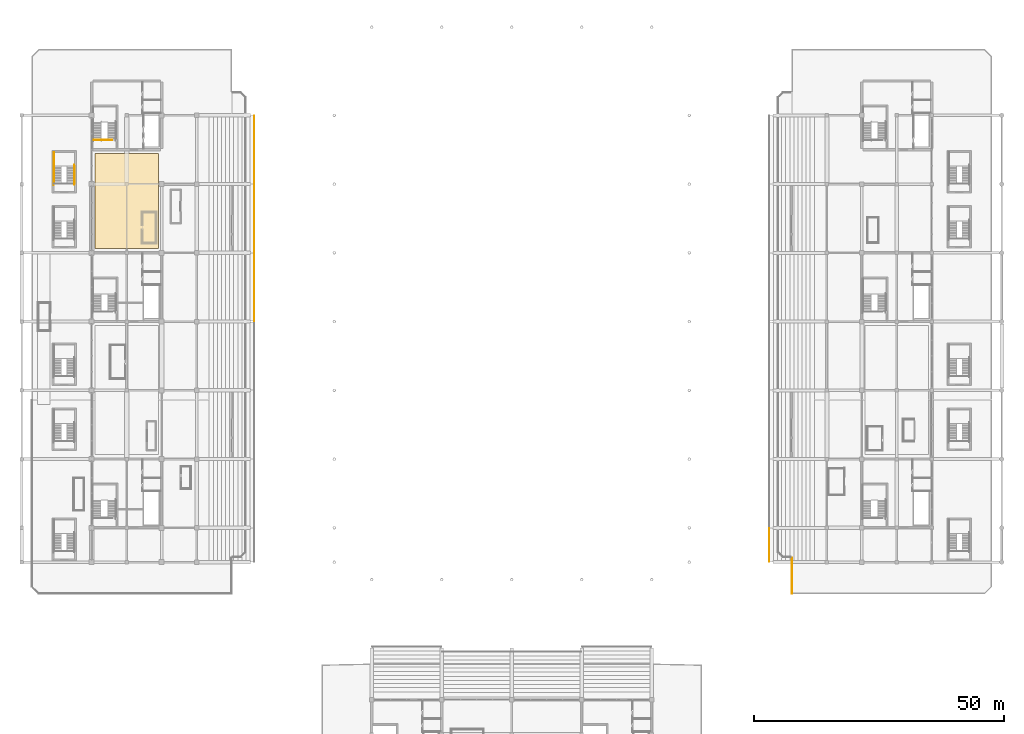
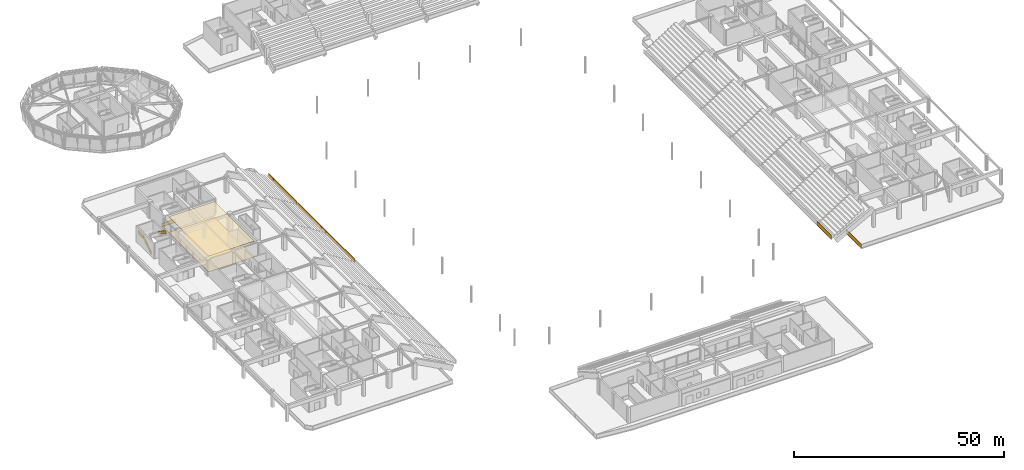
# One storey, part 85 of 94: 8 railings, 2 coverings.
"""IFC4 building model written with IfcOpenShell, lengths in metres."""

import ifcopenshell
import ifcopenshell.guid

model = None  # the IFC model being written
_history = None  # IfcOwnerHistory: only IFC2X3 demands one
_inside = {}  # id of a spatial element -> (the spatial element, [elements in it])
_under = {}  # id of a project, library or spatial element -> (it, [spatial elements below it])
_declared = {}  # id of a project -> (the project, [libraries it declares])
_typed = {}  # id of a type object -> (the type object, [elements of that type])
_made_of = {}  # id of a material, layer set ... -> (it, [elements and type objects made of it])


def new_model(schema):
    """Start an empty IFC model of exactly this schema.

    Asked for "IFC4X3", IfcOpenShell would pick the latest addendum, in which some entities
    have other attributes; the version numbers below select the first issue.
    IFC2X3 requires an IfcOwnerHistory on every rooted entity: one is made here for all.
    """
    global model, _history
    if schema == "IFC4X3":
        model = ifcopenshell.file(schema_version=(4, 3, 0, 0))
    else:
        model = ifcopenshell.file(schema=schema)
    _inside.clear()
    _under.clear()
    _declared.clear()
    _typed.clear()
    _made_of.clear()
    _history = None
    if model.schema == "IFC2X3":
        org = make("IfcOrganization", Name="unknown")
        user = make(
            "IfcPersonAndOrganization",
            ThePerson=make("IfcPerson", FamilyName="unknown"),
            TheOrganization=org,
        )
        app = make(
            "IfcApplication",
            ApplicationDeveloper=org,
            Version="unknown",
            ApplicationFullName="unknown",
            ApplicationIdentifier="unknown",
        )
        _history = make(
            "IfcOwnerHistory",
            OwningUser=user,
            OwningApplication=app,
            ChangeAction="ADDED",
            CreationDate=0,
        )
    return model


def make(cls, **values):
    """One entity of the class cls with the attributes given. An attribute that is None is left unset."""
    return model.create_entity(
        cls, **{name: value for name, value in values.items() if value is not None}
    )


def rooted(cls, **values):
    """An entity with a GlobalId (a new one), such as an element, a storey or a relation."""
    return make(cls, GlobalId=ifcopenshell.guid.new(), OwnerHistory=_history, **values)


def si_unit(unit_type, name, prefix=None):
    """IfcSIUnit, for example si_unit("LENGTHUNIT", "METRE", prefix="MILLI")."""
    return make("IfcSIUnit", UnitType=unit_type, Prefix=prefix, Name=name)


def assignment(units):
    """IfcUnitAssignment: the units of a project."""
    return None if units is None else make("IfcUnitAssignment", Units=units)


def point(xyz):
    """IfcCartesianPoint."""
    return None if xyz is None else make("IfcCartesianPoint", Coordinates=xyz)


def direction(xyz):
    """IfcDirection."""
    return None if xyz is None else make("IfcDirection", DirectionRatios=xyz)


def frame(location, z_axis=None, x_axis=None):
    """IfcAxis2Placement3D, a coordinate frame: its origin and axes. An axis left out is left unset."""
    return make(
        "IfcAxis2Placement3D",
        Location=point(location),
        Axis=direction(z_axis),
        RefDirection=direction(x_axis),
    )


def frame_2d(location, x_axis=None):
    """IfcAxis2Placement2D, a coordinate frame in the plane: its origin and x axis."""
    return make(
        "IfcAxis2Placement2D", Location=point(location), RefDirection=direction(x_axis)
    )


def origin():
    """The frame at (0, 0, 0) with its axes left unset."""
    return frame((0.0, 0.0, 0.0))


def origin_2d():
    """The frame at (0, 0) in the plane with its x axis left unset."""
    return frame_2d((0.0, 0.0))


def place(relative_to, where):
    """IfcLocalPlacement: puts the frame where relative to a parent placement (None: the world)."""
    return make(
        "IfcLocalPlacement", PlacementRelTo=relative_to, RelativePlacement=where
    )


def context(
    kind, dimensions, precision=None, world=None, true_north=None, identifier=None
):
    """IfcGeometricRepresentationContext, for example the 3D "Model" context."""
    return make(
        "IfcGeometricRepresentationContext",
        ContextIdentifier=identifier,
        ContextType=kind,
        CoordinateSpaceDimension=dimensions,
        Precision=precision,
        WorldCoordinateSystem=world,
        TrueNorth=true_north,
    )


def subcontext(parent, identifier, kind, view, scale=None):
    """IfcGeometricRepresentationSubContext, for example "Body" below "Model"."""
    return make(
        "IfcGeometricRepresentationSubContext",
        ContextIdentifier=identifier,
        ContextType=kind,
        ParentContext=parent,
        TargetScale=scale,
        TargetView=view,
    )


def project(units=None, contexts=None):
    """IfcProject with its units and contexts."""
    return rooted(
        "IfcProject",
        Name="project",
        RepresentationContexts=contexts,
        UnitsInContext=assignment(units),
    )


def spatial(cls, under=None, at=None, **own):
    """A site, building, storey or space (cls), placed at a placement, below another one or the project."""
    s = rooted(cls, ObjectPlacement=at, **own)
    if under is not None:
        _under.setdefault(under.id(), (under, []))[1].append(s)
    return s


def polyline(points):
    """IfcPolyline through the points."""
    return make("IfcPolyline", Points=[point(p) for p in points])


def profile(cls, at=None, kind="AREA", **sizes):
    """A parametric profile (cls). Its sizes go by their IFC names, for example OverallWidth=200.0."""
    return make(cls, ProfileType=kind, Position=at, **sizes)


def rectangle(**sizes):
    """IfcRectangleProfileDef."""
    return profile("IfcRectangleProfileDef", **sizes)


def outline(outer, holes=None, kind="AREA"):
    """IfcArbitraryClosedProfileDef: a profile drawn as a closed curve; with holes, ...WithVoids."""
    if holes is None:
        return make("IfcArbitraryClosedProfileDef", ProfileType=kind, OuterCurve=outer)
    return make(
        "IfcArbitraryProfileDefWithVoids",
        ProfileType=kind,
        OuterCurve=outer,
        InnerCurves=holes,
    )


def extrude(swept, where, along, depth):
    """IfcExtrudedAreaSolid: the profile swept, set in the frame where, extruded along a direction by depth."""
    return make(
        "IfcExtrudedAreaSolid",
        SweptArea=swept,
        Position=where,
        ExtrudedDirection=direction(along),
        Depth=depth,
    )


def shape(context_of_items, identifier, shape_type, items):
    """IfcShapeRepresentation: the items that make up one representation, for example the "Body"."""
    return make(
        "IfcShapeRepresentation",
        ContextOfItems=context_of_items,
        RepresentationIdentifier=identifier,
        RepresentationType=shape_type,
        Items=items,
    )


def material(Name=None, Category=None):
    """IfcMaterial."""
    return make("IfcMaterial", Name=Name, Category=Category)


def layer(
    of_material, thickness, ventilated=None, Name=None, Category=None, Priority=None
):
    """IfcMaterialLayer: one layer of a wall or slab, of a material (None: an air gap)."""
    return make(
        "IfcMaterialLayer",
        Material=of_material,
        LayerThickness=thickness,
        IsVentilated=ventilated,
        Name=Name,
        Category=Category,
        Priority=Priority,
    )


def layer_set(layers, Name=None):
    """IfcMaterialLayerSet."""
    return make("IfcMaterialLayerSet", MaterialLayers=layers, LayerSetName=Name)


def made_of(thing, what):
    """Note that an element or type object is made of a material, layer set ...; save() writes the relation."""
    if what is not None:
        _made_of.setdefault(what.id(), (what, []))[1].append(thing)
    return thing


def type_object(cls, material=None, **own):
    """A type object (cls), such as IfcWallType, which elements share."""
    return made_of(rooted(cls, **own), material)


def element(
    cls,
    number,
    at=None,
    inside=None,
    cuts=None,
    type_object=None,
    material=None,
    context=None,
    identifier="Body",
    shape_type=None,
    held_by="IfcProductDefinitionShape",
    body=None,
    shapes=None,
    **own,
):
    """One element of the class cls, such as IfcWall. Its Tag is "e" and its number.

    at: its placement. inside: the storey or other place that contains it. cuts: it is an
    opening in that element (IfcRelVoidsElement). A single representation is given by context,
    identifier, shape_type and body (its items); several are given by shapes. held_by: the class
    of the entity that holds the representations. save() writes the other relations.
    """
    e = rooted(cls, Tag="e%d" % number, ObjectPlacement=at, **own)
    if body is not None:
        shapes = [shape(context, identifier, shape_type, body)]
    if shapes is not None:
        e.Representation = make(held_by, Representations=shapes)
    if inside is not None:
        _inside.setdefault(inside.id(), (inside, []))[1].append(e)
    if cuts is not None:
        rooted(
            "IfcRelVoidsElement", RelatingBuildingElement=cuts, RelatedOpeningElement=e
        )
    if type_object is not None:
        _typed.setdefault(type_object.id(), (type_object, []))[1].append(e)
    return made_of(e, material)


def aggregate(whole, parts):
    """IfcRelAggregates: a whole, such as a stair, and the parts it consists of."""
    return rooted("IfcRelAggregates", RelatingObject=whole, RelatedObjects=parts)


def save(model, path):
    """Write the relations noted so far, then the file.

    IfcRelAggregates (storeys below a building ...), IfcRelContainedInSpatialStructure (elements
    in a storey), IfcRelDefinesByType, IfcRelAssociatesMaterial and IfcRelDeclares: one each for
    every whole, place, type object, material and project.
    """
    for whole, parts in _under.values():
        aggregate(whole, parts)
    for where, things in _inside.values():
        rooted(
            "IfcRelContainedInSpatialStructure",
            RelatedElements=things,
            RelatingStructure=where,
        )
    for kind, things in _typed.values():
        rooted("IfcRelDefinesByType", RelatedObjects=things, RelatingType=kind)
    for what, things in _made_of.values():
        rooted("IfcRelAssociatesMaterial", RelatedObjects=things, RelatingMaterial=what)
    for by, libraries in _declared.values():
        rooted("IfcRelDeclares", RelatingContext=by, RelatedDefinitions=libraries)
    model.write(path)


model = new_model("IFC4")

# Units and contexts
model_context = context("Model", 3, precision=1e-05, world=origin(), true_north=direction((0.0, 1.0)))
body_context = subcontext(model_context, "Body", "Model", "MODEL_VIEW")
ifc_project = project(units=[si_unit("LENGTHUNIT", "METRE"), si_unit("AREAUNIT", "SQUARE_METRE"), si_unit("VOLUMEUNIT", "CUBIC_METRE"), si_unit("PLANEANGLEUNIT", "RADIAN"), si_unit("MASSUNIT", "GRAM", prefix="KILO")], contexts=[model_context])

# Site, building, storey
site_placement = place(None, origin())
site = spatial("IfcSite", under=ifc_project, at=site_placement, CompositionType="ELEMENT")
building_placement = place(site_placement, origin())
building = spatial("IfcBuilding", under=site, at=building_placement, Name="Linyun Crest Stadium", CompositionType="ELEMENT")
storey_placement = place(building_placement, frame((0.0, 0.0, 16.199951171875)))
storey = spatial("IfcBuildingStorey", under=building, at=storey_placement, Name="L04", CompositionType="ELEMENT", Elevation=16.199951171875)

# Coverings
ifc_material_1 = material(Name="Anodized aluminium baffle acoustic ceiling", Category="aluminium")
ifc_layer_1 = layer(ifc_material_1, 0.030029296875)
ifc_layer_set_1 = layer_set([ifc_layer_1], Name="Anodized aluminium baffle acoustic ceiling")
covering_type_1 = type_object("IfcCoveringType", Name="CLG02", PredefinedType="CEILING", material=ifc_layer_set_1)
covering_1_placement = place(storey_placement, frame((0.0, 0.0, 4.570068359375)))
element("IfcCovering", 1, at=covering_1_placement, inside=storey, type_object=covering_type_1, Name="Suspended acoustic ceiling CLG02 42", PredefinedType="CEILING", context=body_context, shape_type="SweptSolid", body=[
    extrude(outline(polyline([(-83.300048828125, 16.699951171875), (-70.699951171875, 16.699951171875), (-70.699951171875, 35.699951171875), (-83.300048828125, 35.699951171875), (-83.300048828125, 16.699951171875)])), origin(), (0.0, 0.0, 1.0), 0.030029296875),
])
ifc_material_2 = material(Name="Terrazzo concourse and hospitality floor finish")
ifc_layer_2 = layer(ifc_material_2, 0.02197265625)
ifc_layer_set_2 = layer_set([ifc_layer_2], Name="Terrazzo concourse and hospitality floor finish")
covering_type_2 = type_object("IfcCoveringType", Name="FLR02", PredefinedType="FLOORING", material=ifc_layer_set_2)
covering_2_placement = place(storey_placement, origin())
element("IfcCovering", 2, at=covering_2_placement, inside=storey, type_object=covering_type_2, Name="Terrazzo flooring FLR02 41", PredefinedType="FLOORING", context=body_context, shape_type="SweptSolid", body=[
    extrude(outline(polyline([(-83.300048828125, 16.699951171875), (-70.699951171875, 16.699951171875), (-70.699951171875, 35.699951171875), (-83.300048828125, 35.699951171875), (-83.300048828125, 16.699951171875)])), origin(), (0.0, 0.0, 1.0), 0.02197265625),
])

# Railings
ifc_material_3 = material(Name="Galvanized and powder-coated steel bowl safety barrier", Category="steel")
railing_type_1 = type_object("IfcRailingType", Name="GR02", PredefinedType="GUARDRAIL", material=ifc_material_3)
railing_1_placement = place(storey_placement, frame((51.5, -45.919921875, 0.35009765625)))
element("IfcRailing", 3, at=railing_1_placement, inside=storey, type_object=railing_type_1, Name="Bowl front safety guard GR02 7", PredefinedType="GUARDRAIL", context=body_context, shape_type="SweptSolid", body=[
    extrude(rectangle(XDim=0.06005859375, YDim=0.06005859375, at=origin_2d()), frame((0.0, 0.0, 1.090087890625), z_axis=(0.0, 1.0, 0.0), x_axis=(-1.0, 0.0, 0.0)), (0.0, 0.0, 1.0), 6.71484375),
    extrude(rectangle(XDim=0.030029296875, YDim=1.0, at=origin_2d()), frame((0.0, 0.0, 0.56005859375), z_axis=(0.0, 1.0, 0.0), x_axis=(-1.0, 0.0, 0.0)), (0.0, 0.0, 1.0), 6.71484375),
    extrude(rectangle(XDim=0.06005859375, YDim=0.06005859375, at=origin_2d()), frame((0.0, 0.0, 0.030029296875), z_axis=(0.0, 1.0, 0.0), x_axis=(-1.0, 0.0, 0.0)), (0.0, 0.0, 1.0), 6.71484375),
    extrude(rectangle(XDim=0.050048828125, YDim=0.050048828125, at=origin_2d()), origin(), (0.0, 0.0, 1.0), 1.1201171875),
    extrude(rectangle(XDim=0.050048828125, YDim=0.050048828125, at=origin_2d()), frame((0.0, 2.23828125, 0.0)), (0.0, 0.0, 1.0), 1.1201171875),
    extrude(rectangle(XDim=0.050048828125, YDim=0.050048828125, at=origin_2d()), frame((0.0, 4.4765625, 0.0)), (0.0, 0.0, 1.0), 1.1201171875),
    extrude(rectangle(XDim=0.050048828125, YDim=0.050048828125, at=origin_2d()), frame((0.0, 6.71484375, 0.0)), (0.0, 0.0, 1.0), 1.1201171875),
])
for number, where, name in (
    (4, (-51.5, 2.205078125, 0.35009765625), "Bowl front safety guard GR02 35"),
    (5, (-51.5, 15.955078125, 0.35009765625), "Bowl front safety guard GR02 43"),
    (6, (-51.5, 29.705078125, 0.35009765625), "Bowl front safety guard GR02 51"),
):
    element("IfcRailing", number, at=place(storey_placement, frame(where)), inside=storey, type_object=railing_type_1, Name=name, PredefinedType="GUARDRAIL", context=body_context, shape_type="SweptSolid", body=[
        extrude(rectangle(XDim=0.06005859375, YDim=0.06005859375, at=origin_2d()), frame((0.0, 0.0, 1.090087890625), z_axis=(0.0, 1.0, 0.0), x_axis=(-1.0, 0.0, 0.0)), (0.0, 0.0, 1.0), 13.58984375),
        extrude(rectangle(XDim=0.030029296875, YDim=1.0, at=origin_2d()), frame((0.0, 0.0, 0.56005859375), z_axis=(0.0, 1.0, 0.0), x_axis=(-1.0, 0.0, 0.0)), (0.0, 0.0, 1.0), 13.58984375),
        extrude(rectangle(XDim=0.06005859375, YDim=0.06005859375, at=origin_2d()), frame((0.0, 0.0, 0.030029296875), z_axis=(0.0, 1.0, 0.0), x_axis=(-1.0, 0.0, 0.0)), (0.0, 0.0, 1.0), 13.58984375),
        extrude(rectangle(XDim=0.050048828125, YDim=0.050048828125, at=origin_2d()), origin(), (0.0, 0.0, 1.0), 1.1201171875),
        extrude(rectangle(XDim=0.050048828125, YDim=0.050048828125, at=origin_2d()), frame((0.0, 2.264892578125, 0.0)), (0.0, 0.0, 1.0), 1.1201171875),
        extrude(rectangle(XDim=0.050048828125, YDim=0.050048828125, at=origin_2d()), frame((0.0, 4.530029296875, 0.0)), (0.0, 0.0, 1.0), 1.1201171875),
        extrude(rectangle(XDim=0.050048828125, YDim=0.050048828125, at=origin_2d()), frame((0.0, 6.794921875, 0.0)), (0.0, 0.0, 1.0), 1.1201171875),
        extrude(rectangle(XDim=0.050048828125, YDim=0.050048828125, at=origin_2d()), frame((0.0, 9.059814453125, 0.0)), (0.0, 0.0, 1.0), 1.1201171875),
        extrude(rectangle(XDim=0.050048828125, YDim=0.050048828125, at=origin_2d()), frame((0.0, 11.324951171875, 0.0)), (0.0, 0.0, 1.0), 1.1201171875),
        extrude(rectangle(XDim=0.050048828125, YDim=0.050048828125, at=origin_2d()), frame((0.0, 13.58984375, 0.0)), (0.0, 0.0, 1.0), 1.1201171875),
    ])
railing_2_placement = place(storey_placement, frame((-83.635009765625, 38.4599609375, 0.0)))
element("IfcRailing", 7, at=railing_2_placement, inside=storey, type_object=railing_type_1, Name="Slab edge balustrade GR02 62", PredefinedType="GUARDRAIL", context=body_context, shape_type="SweptSolid", body=[
    extrude(rectangle(XDim=0.06005859375, YDim=0.06005859375, at=origin_2d()), frame((0.0, 0.0, 1.090087890625), z_axis=(1.0, 0.0, 0.0), x_axis=(0.0, 1.0, 0.0)), (0.0, 0.0, 1.0), 3.735107421875),
    extrude(rectangle(XDim=0.030029296875, YDim=1.0, at=origin_2d()), frame((0.0, 0.0, 0.56005859375), z_axis=(1.0, 0.0, 0.0), x_axis=(0.0, 1.0, 0.0)), (0.0, 0.0, 1.0), 3.735107421875),
    extrude(rectangle(XDim=0.06005859375, YDim=0.06005859375, at=origin_2d()), frame((0.0, 0.0, 0.030029296875), z_axis=(1.0, 0.0, 0.0), x_axis=(0.0, 1.0, 0.0)), (0.0, 0.0, 1.0), 3.735107421875),
    extrude(rectangle(XDim=0.050048828125, YDim=0.050048828125, at=origin_2d()), origin(), (0.0, 0.0, 1.0), 1.1201171875),
    extrude(rectangle(XDim=0.050048828125, YDim=0.050048828125, at=origin_2d()), frame((3.735107421875, 0.0, 0.0)), (0.0, 0.0, 1.0), 1.1201171875),
])
railing_3_placement = place(storey_placement, frame((56.06005859375, -52.27490234375, 0.0)))
element("IfcRailing", 8, at=railing_3_placement, inside=storey, type_object=railing_type_1, Name="Slab edge balustrade GR02 155", PredefinedType="GUARDRAIL", context=body_context, shape_type="SweptSolid", body=[
    extrude(rectangle(XDim=0.06005859375, YDim=0.06005859375, at=origin_2d()), frame((0.0, 0.0, 1.090087890625), z_axis=(0.0, 1.0, 0.0), x_axis=(-1.0, 0.0, 0.0)), (0.0, 0.0, 1.0), 7.114013671875),
    extrude(rectangle(XDim=0.030029296875, YDim=1.0, at=origin_2d()), frame((0.0, 0.0, 0.56005859375), z_axis=(0.0, 1.0, 0.0), x_axis=(-1.0, 0.0, 0.0)), (0.0, 0.0, 1.0), 7.114013671875),
    extrude(rectangle(XDim=0.06005859375, YDim=0.06005859375, at=origin_2d()), frame((0.0, 0.0, 0.030029296875), z_axis=(0.0, 1.0, 0.0), x_axis=(-1.0, 0.0, 0.0)), (0.0, 0.0, 1.0), 7.114013671875),
    extrude(rectangle(XDim=0.050048828125, YDim=0.050048828125, at=origin_2d()), origin(), (0.0, 0.0, 1.0), 1.1201171875),
    extrude(rectangle(XDim=0.050048828125, YDim=0.050048828125, at=origin_2d()), frame((0.0, 3.55712890625, 0.0)), (0.0, 0.0, 1.0), 1.1201171875),
    extrude(rectangle(XDim=0.050048828125, YDim=0.050048828125, at=origin_2d()), frame((0.0, 7.114013671875, 0.0)), (0.0, 0.0, 1.0), 1.1201171875),
])
ifc_material_4 = material(Name="Painted steel stairwell safety guard", Category="steel")
railing_type_2 = type_object("IfcRailingType", Name="GR03", PredefinedType="GUARDRAIL", material=ifc_material_4)
railing_4_placement = place(storey_placement, frame((-91.570068359375, 29.719970703125, 0.0)))
element("IfcRailing", 9, at=railing_4_placement, inside=storey, type_object=railing_type_2, Name="STR-17-L04 outer guard", PredefinedType="GUARDRAIL", context=body_context, shape_type="SweptSolid", body=[
    extrude(rectangle(XDim=0.06005859375, YDim=0.06005859375, at=origin_2d()), frame((0.0, 0.0, 1.090087890625), z_axis=(0.0, 0.824712752785, 0.565551832633), x_axis=(-1.0, 0.0, 0.0)), (0.0, 0.0, 1.0), 4.243896484375),
    extrude(rectangle(XDim=0.030029296875, YDim=1.0, at=origin_2d()), frame((0.0, 0.0, 0.56005859375), z_axis=(0.0, 0.824712752785, 0.565551832633), x_axis=(-1.0, 0.0, 0.0)), (0.0, 0.0, 1.0), 4.243896484375),
    extrude(rectangle(XDim=0.06005859375, YDim=0.06005859375, at=origin_2d()), frame((0.0, 0.0, 0.030029296875), z_axis=(0.0, 0.824712752785, 0.565551832633), x_axis=(-1.0, 0.0, 0.0)), (0.0, 0.0, 1.0), 4.243896484375),
    extrude(rectangle(XDim=0.06005859375, YDim=0.06005859375, at=origin_2d()), frame((0.0, 3.5, 3.490234375), z_axis=(0.0, 1.0, 0.0), x_axis=(-1.0, 0.0, 0.0)), (0.0, 0.0, 1.0), 2.75),
    extrude(rectangle(XDim=0.030029296875, YDim=1.0, at=origin_2d()), frame((0.0, 3.5, 2.960205078125), z_axis=(0.0, 1.0, 0.0), x_axis=(-1.0, 0.0, 0.0)), (0.0, 0.0, 1.0), 2.75),
    extrude(rectangle(XDim=0.06005859375, YDim=0.06005859375, at=origin_2d()), frame((0.0, 3.5, 2.43017578125), z_axis=(0.0, 1.0, 0.0), x_axis=(-1.0, 0.0, 0.0)), (0.0, 0.0, 1.0), 2.75),
    extrude(rectangle(XDim=0.050048828125, YDim=0.050048828125, at=origin_2d()), origin(), (0.0, 0.0, 1.0), 1.1201171875),
    extrude(rectangle(XDim=0.050048828125, YDim=0.050048828125, at=origin_2d()), frame((0.0, 1.166748046875, 0.800048828125)), (0.0, 0.0, 1.0), 1.1201171875),
    extrude(rectangle(XDim=0.050048828125, YDim=0.050048828125, at=origin_2d()), frame((0.0, 2.333251953125, 1.60009765625)), (0.0, 0.0, 1.0), 1.1201171875),
    extrude(rectangle(XDim=0.050048828125, YDim=0.050048828125, at=origin_2d()), frame((0.0, 3.5, 2.400146484375)), (0.0, 0.0, 1.0), 1.1201171875),
    extrude(rectangle(XDim=0.050048828125, YDim=0.050048828125, at=origin_2d()), frame((0.0, 4.875, 2.400146484375)), (0.0, 0.0, 1.0), 1.1201171875),
    extrude(rectangle(XDim=0.050048828125, YDim=0.050048828125, at=origin_2d()), frame((0.0, 6.25, 2.400146484375)), (0.0, 0.0, 1.0), 1.1201171875),
])
ifc_material_5 = material(Name="Brushed stainless steel tubular handrail", Category="steel")
railing_type_3 = type_object("IfcRailingType", Name="HR01", PredefinedType="HANDRAIL", material=ifc_material_5)
railing_5_placement = place(storey_placement, frame((-87.47998046875, 33.219970703125, 2.400146484375)))
element("IfcRailing", 10, at=railing_5_placement, inside=storey, type_object=railing_type_3, Name="STR-17-L04 handrail", PredefinedType="HANDRAIL", context=body_context, shape_type="SweptSolid", body=[
    extrude(rectangle(XDim=0.06005859375, YDim=0.06005859375, at=origin_2d()), frame((0.0, 0.0, 0.889892578125), z_axis=(0.0, -0.824739584531, 0.5655127034), x_axis=(1.0, 0.0, 0.0)), (0.0, 0.0, 1.0), 4.24365234375),
    extrude(rectangle(XDim=0.030029296875, YDim=0.7998046875, at=origin_2d()), frame((0.0, 0.0, 0.4599609375), z_axis=(0.0, -0.824739584531, 0.5655127034), x_axis=(1.0, 0.0, 0.0)), (0.0, 0.0, 1.0), 4.24365234375),
    extrude(rectangle(XDim=0.06005859375, YDim=0.06005859375, at=origin_2d()), frame((0.0, 0.0, 0.030029296875), z_axis=(0.0, -0.824739584531, 0.5655127034), x_axis=(1.0, 0.0, 0.0)), (0.0, 0.0, 1.0), 4.24365234375),
    extrude(rectangle(XDim=0.050048828125, YDim=0.050048828125, at=origin_2d()), origin(), (0.0, 0.0, 1.0), 0.919921875),
    extrude(rectangle(XDim=0.050048828125, YDim=0.050048828125, at=origin_2d()), frame((0.0, -1.75, 1.199951171875)), (0.0, 0.0, 1.0), 0.919921875),
    extrude(rectangle(XDim=0.050048828125, YDim=0.050048828125, at=origin_2d()), frame((0.0, -3.5, 2.39990234375)), (0.0, 0.0, 1.0), 0.919921875),
])

save(model, "model.ifc")
